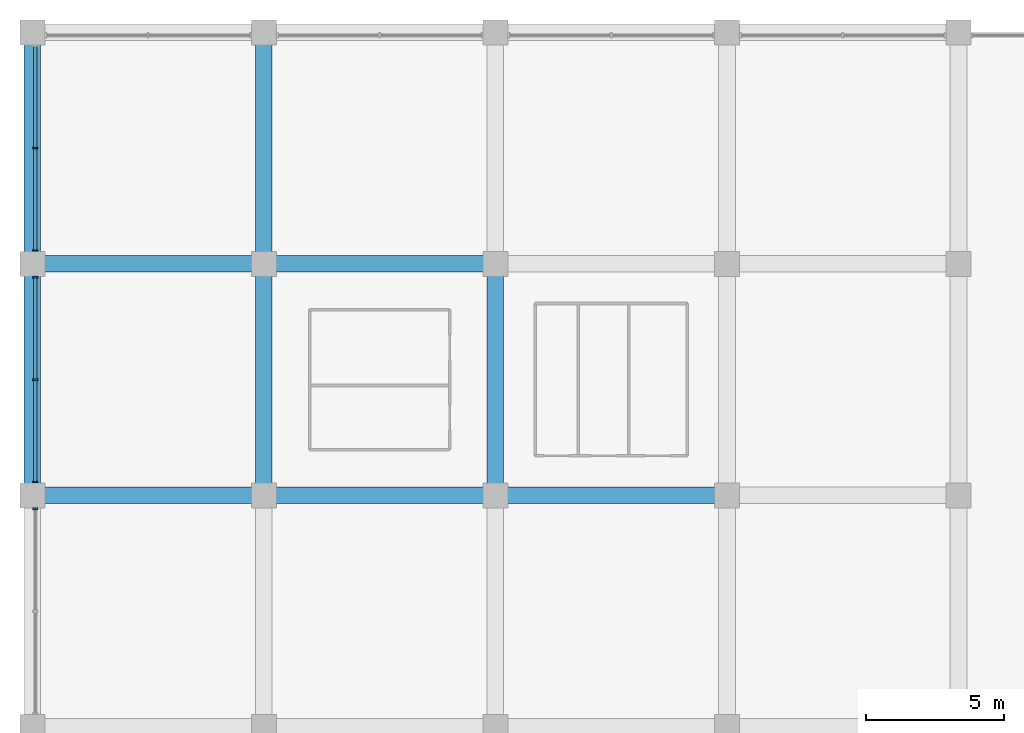
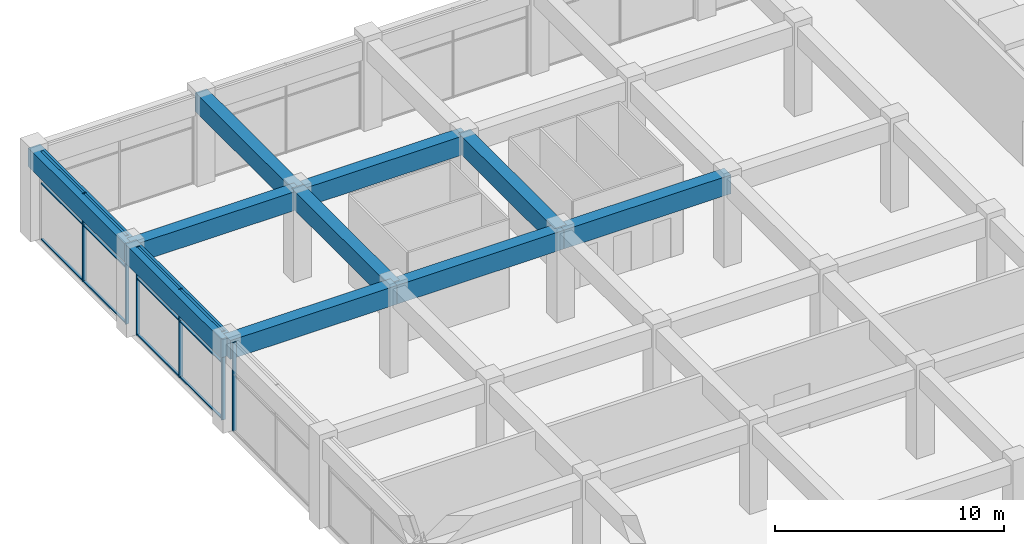
# One storey, part 16 of 34: 18 members, 10 beams, 3 elements without a shape of their own.
"""IFC4 building model written with IfcOpenShell, lengths in metres."""

from ifc_helpers import new_model, si_unit, direction, frame, origin, origin_2d, place, context, subcontext, project, spatial, rectangle, extrude, material, material_profile, profile_set, type_object, element, aggregate, save


model = new_model("IFC4")

# Units and contexts
model_context = context("Model", 3, precision=1e-05, world=origin(), true_north=direction((0.0, 1.0)))
body_context = subcontext(model_context, "Body", "Model", "MODEL_VIEW")
ifc_project = project(units=[si_unit("LENGTHUNIT", "METRE"), si_unit("AREAUNIT", "SQUARE_METRE"), si_unit("VOLUMEUNIT", "CUBIC_METRE"), si_unit("PLANEANGLEUNIT", "RADIAN"), si_unit("MASSUNIT", "GRAM", prefix="KILO")], contexts=[model_context])

# Site, building, storey
site_placement = place(None, origin())
site = spatial("IfcSite", under=ifc_project, at=site_placement, CompositionType="ELEMENT")
building_placement = place(site_placement, origin())
building = spatial("IfcBuilding", under=site, at=building_placement, Name="Impinga Residences", CompositionType="ELEMENT")
storey_placement = place(building_placement, frame((0.0, 0.0, 11.0)))
storey = spatial("IfcBuildingStorey", under=building, at=storey_placement, Name="L02", CompositionType="ELEMENT", Elevation=11.0)

# Curtain wall, member
ifc_material_1 = material(Name="Aluminium stick curtain wall", Category="aluminium")
curtain_wall_type = type_object("IfcCurtainWallType", Name="CW1 podium amenity curtain wall", PredefinedType="USERDEFINED", material=ifc_material_1)
curtain_wall_1_placement = place(storey_placement, origin())
curtain_wall_1 = element("IfcCurtainWall", 1, at=curtain_wall_1_placement, inside=storey, type_object=curtain_wall_type, Name="Curtain wall CW1 L02", ObjectType="STICK CURTAIN WALL", PredefinedType="USERDEFINED")
ifc_material_2 = material(Name="Aluminium mullion", Category="aluminium")
ifc_material_profile_1 = material_profile(ifc_material_2, rectangle(XDim=0.06005859375, YDim=0.179931640625, at=origin_2d()), Name="60x180 mullion")
ifc_profile_set_1 = profile_set([ifc_material_profile_1], Name="Aluminium mullion")
member_type_1 = type_object("IfcMemberType", Name="CW1-M mullion 60x180", PredefinedType="MULLION", material=ifc_profile_set_1)
member_1_placement = place(storey_placement, frame((-50.300048828125, 33.116943359375, 0.0), z_axis=(0.0, 0.0, 1.0), x_axis=(0.0, 1.0, 0.0)))
member_1 = element("IfcMember", 2, at=member_1_placement, type_object=member_type_1, Name="CW1 mullion 3", PredefinedType="MULLION", context=body_context, shape_type="SweptSolid", body=[
    extrude(rectangle(XDim=0.06005859375, YDim=0.179931640625, at=origin_2d()), origin(), (0.0, 0.0, 1.0), 4.699951171875),
])
aggregate(curtain_wall_1, [member_1])

# Curtain wall, members
curtain_wall_2_placement = place(storey_placement, origin())
curtain_wall_2 = element("IfcCurtainWall", 3, at=curtain_wall_2_placement, inside=storey, type_object=curtain_wall_type, Name="Curtain wall CW1 L02", ObjectType="STICK CURTAIN WALL", PredefinedType="USERDEFINED")
member_2_placement = place(storey_placement, frame((-50.300048828125, 34.0830078125, 0.0), z_axis=(0.0, 0.0, 1.0), x_axis=(0.0, 1.0, 0.0)))
member_2 = element("IfcMember", 4, at=member_2_placement, type_object=member_type_1, Name="CW1 mullion 1", PredefinedType="MULLION", context=body_context, shape_type="SweptSolid", body=[
    extrude(rectangle(XDim=0.06005859375, YDim=0.179931640625, at=origin_2d()), origin(), (0.0, 0.0, 1.0), 4.699951171875),
])
member_3_placement = place(storey_placement, frame((-50.300048828125, 37.800048828125, 0.0), z_axis=(0.0, 0.0, 1.0), x_axis=(0.0, 1.0, 0.0)))
member_3 = element("IfcMember", 5, at=member_3_placement, type_object=member_type_1, Name="CW1 mullion 2", PredefinedType="MULLION", context=body_context, shape_type="SweptSolid", body=[
    extrude(rectangle(XDim=0.06005859375, YDim=0.179931640625, at=origin_2d()), origin(), (0.0, 0.0, 1.0), 4.699951171875),
])
member_4_placement = place(storey_placement, frame((-50.300048828125, 41.51708984375, 0.0), z_axis=(0.0, 0.0, 1.0), x_axis=(0.0, 1.0, 0.0)))
member_4 = element("IfcMember", 6, at=member_4_placement, type_object=member_type_1, Name="CW1 mullion 3", PredefinedType="MULLION", context=body_context, shape_type="SweptSolid", body=[
    extrude(rectangle(XDim=0.06005859375, YDim=0.179931640625, at=origin_2d()), origin(), (0.0, 0.0, 1.0), 4.699951171875),
])

curtain_wall_3_placement = place(storey_placement, origin())
curtain_wall_3 = element("IfcCurtainWall", 7, at=curtain_wall_3_placement, inside=storey, type_object=curtain_wall_type, Name="Curtain wall CW1 L02", ObjectType="STICK CURTAIN WALL", PredefinedType="USERDEFINED")
member_5_placement = place(storey_placement, frame((-50.300048828125, 42.48291015625, 0.0), z_axis=(0.0, 0.0, 1.0), x_axis=(0.0, 1.0, 0.0)))
member_5 = element("IfcMember", 8, at=member_5_placement, type_object=member_type_1, Name="CW1 mullion 1", PredefinedType="MULLION", context=body_context, shape_type="SweptSolid", body=[
    extrude(rectangle(XDim=0.06005859375, YDim=0.179931640625, at=origin_2d()), origin(), (0.0, 0.0, 1.0), 4.699951171875),
])
member_6_placement = place(storey_placement, frame((-50.300048828125, 46.199951171875, 0.0), z_axis=(0.0, 0.0, 1.0), x_axis=(0.0, 1.0, 0.0)))
member_6 = element("IfcMember", 9, at=member_6_placement, type_object=member_type_1, Name="CW1 mullion 2", PredefinedType="MULLION", context=body_context, shape_type="SweptSolid", body=[
    extrude(rectangle(XDim=0.06005859375, YDim=0.179931640625, at=origin_2d()), origin(), (0.0, 0.0, 1.0), 4.699951171875),
])

# Member
ifc_material_3 = material(Name="Aluminium transom", Category="aluminium")
ifc_material_profile_2 = material_profile(ifc_material_3, rectangle(XDim=0.06005859375, YDim=0.1201171875, at=origin_2d()), Name="60x120 transom")
ifc_profile_set_2 = profile_set([ifc_material_profile_2], Name="Aluminium transom")
member_type_2 = type_object("IfcMemberType", Name="CW1-T transom 60x120", PredefinedType="USERDEFINED", material=ifc_profile_set_2)
member_7_placement = place(storey_placement, frame((-50.300048828125, 34.113037109375, 0.030029296875), z_axis=(0.0, 1.0, 0.0), x_axis=(0.0, 0.0, 1.0)))
member_7 = element("IfcMember", 10, at=member_7_placement, type_object=member_type_2, Name="CW1 transom 1.1", ObjectType="TRANSOM", PredefinedType="USERDEFINED", context=body_context, shape_type="SweptSolid", body=[
    extrude(rectangle(XDim=0.06005859375, YDim=0.1201171875, at=origin_2d()), origin(), (0.0, 0.0, 1.0), 3.656982421875),
])

member_8_placement = place(storey_placement, frame((-50.300048828125, 34.113037109375, 3.0), z_axis=(0.0, 1.0, 0.0), x_axis=(0.0, 0.0, 1.0)))
member_8 = element("IfcMember", 11, at=member_8_placement, type_object=member_type_2, Name="CW1 transom 1.2", ObjectType="TRANSOM", PredefinedType="USERDEFINED", context=body_context, shape_type="SweptSolid", body=[
    extrude(rectangle(XDim=0.06005859375, YDim=0.1201171875, at=origin_2d()), origin(), (0.0, 0.0, 1.0), 3.656982421875),
])

member_9_placement = place(storey_placement, frame((-50.300048828125, 34.113037109375, 4.669921875), z_axis=(0.0, 1.0, 0.0), x_axis=(0.0, 0.0, 1.0)))
member_9 = element("IfcMember", 12, at=member_9_placement, type_object=member_type_2, Name="CW1 transom 1.3", ObjectType="TRANSOM", PredefinedType="USERDEFINED", context=body_context, shape_type="SweptSolid", body=[
    extrude(rectangle(XDim=0.06005859375, YDim=0.1201171875, at=origin_2d()), origin(), (0.0, 0.0, 1.0), 3.656982421875),
])

member_10_placement = place(storey_placement, frame((-50.300048828125, 37.830078125, 0.030029296875), z_axis=(0.0, 1.0, 0.0), x_axis=(0.0, 0.0, 1.0)))
member_10 = element("IfcMember", 13, at=member_10_placement, type_object=member_type_2, Name="CW1 transom 2.1", ObjectType="TRANSOM", PredefinedType="USERDEFINED", context=body_context, shape_type="SweptSolid", body=[
    extrude(rectangle(XDim=0.06005859375, YDim=0.1201171875, at=origin_2d()), origin(), (0.0, 0.0, 1.0), 3.656982421875),
])

member_11_placement = place(storey_placement, frame((-50.300048828125, 37.830078125, 3.0), z_axis=(0.0, 1.0, 0.0), x_axis=(0.0, 0.0, 1.0)))
member_11 = element("IfcMember", 14, at=member_11_placement, type_object=member_type_2, Name="CW1 transom 2.2", ObjectType="TRANSOM", PredefinedType="USERDEFINED", context=body_context, shape_type="SweptSolid", body=[
    extrude(rectangle(XDim=0.06005859375, YDim=0.1201171875, at=origin_2d()), origin(), (0.0, 0.0, 1.0), 3.656982421875),
])

member_12_placement = place(storey_placement, frame((-50.300048828125, 37.830078125, 4.669921875), z_axis=(0.0, 1.0, 0.0), x_axis=(0.0, 0.0, 1.0)))
member_12 = element("IfcMember", 15, at=member_12_placement, type_object=member_type_2, Name="CW1 transom 2.3", ObjectType="TRANSOM", PredefinedType="USERDEFINED", context=body_context, shape_type="SweptSolid", body=[
    extrude(rectangle(XDim=0.06005859375, YDim=0.1201171875, at=origin_2d()), origin(), (0.0, 0.0, 1.0), 3.656982421875),
])

aggregate(curtain_wall_2, [member_2, member_3, member_4, member_7, member_8, member_9, member_10, member_11, member_12])

member_13_placement = place(storey_placement, frame((-50.300048828125, 42.512939453125, 0.030029296875), z_axis=(0.0, 1.0, 0.0), x_axis=(0.0, 0.0, 1.0)))
member_13 = element("IfcMember", 16, at=member_13_placement, type_object=member_type_2, Name="CW1 transom 1.1", ObjectType="TRANSOM", PredefinedType="USERDEFINED", context=body_context, shape_type="SweptSolid", body=[
    extrude(rectangle(XDim=0.06005859375, YDim=0.1201171875, at=origin_2d()), origin(), (0.0, 0.0, 1.0), 3.656982421875),
])

member_14_placement = place(storey_placement, frame((-50.300048828125, 42.512939453125, 3.0), z_axis=(0.0, 1.0, 0.0), x_axis=(0.0, 0.0, 1.0)))
member_14 = element("IfcMember", 17, at=member_14_placement, type_object=member_type_2, Name="CW1 transom 1.2", ObjectType="TRANSOM", PredefinedType="USERDEFINED", context=body_context, shape_type="SweptSolid", body=[
    extrude(rectangle(XDim=0.06005859375, YDim=0.1201171875, at=origin_2d()), origin(), (0.0, 0.0, 1.0), 3.656982421875),
])

member_15_placement = place(storey_placement, frame((-50.300048828125, 42.512939453125, 4.669921875), z_axis=(0.0, 1.0, 0.0), x_axis=(0.0, 0.0, 1.0)))
member_15 = element("IfcMember", 18, at=member_15_placement, type_object=member_type_2, Name="CW1 transom 1.3", ObjectType="TRANSOM", PredefinedType="USERDEFINED", context=body_context, shape_type="SweptSolid", body=[
    extrude(rectangle(XDim=0.06005859375, YDim=0.1201171875, at=origin_2d()), origin(), (0.0, 0.0, 1.0), 3.656982421875),
])

member_16_placement = place(storey_placement, frame((-50.300048828125, 46.22998046875, 0.030029296875), z_axis=(0.0, 1.0, 0.0), x_axis=(0.0, 0.0, 1.0)))
member_16 = element("IfcMember", 19, at=member_16_placement, type_object=member_type_2, Name="CW1 transom 2.1", ObjectType="TRANSOM", PredefinedType="USERDEFINED", context=body_context, shape_type="SweptSolid", body=[
    extrude(rectangle(XDim=0.06005859375, YDim=0.1201171875, at=origin_2d()), origin(), (0.0, 0.0, 1.0), 3.656982421875),
])

member_17_placement = place(storey_placement, frame((-50.300048828125, 46.22998046875, 3.0), z_axis=(0.0, 1.0, 0.0), x_axis=(0.0, 0.0, 1.0)))
member_17 = element("IfcMember", 20, at=member_17_placement, type_object=member_type_2, Name="CW1 transom 2.2", ObjectType="TRANSOM", PredefinedType="USERDEFINED", context=body_context, shape_type="SweptSolid", body=[
    extrude(rectangle(XDim=0.06005859375, YDim=0.1201171875, at=origin_2d()), origin(), (0.0, 0.0, 1.0), 3.656982421875),
])

member_18_placement = place(storey_placement, frame((-50.300048828125, 46.22998046875, 4.669921875), z_axis=(0.0, 1.0, 0.0), x_axis=(0.0, 0.0, 1.0)))
member_18 = element("IfcMember", 21, at=member_18_placement, type_object=member_type_2, Name="CW1 transom 2.3", ObjectType="TRANSOM", PredefinedType="USERDEFINED", context=body_context, shape_type="SweptSolid", body=[
    extrude(rectangle(XDim=0.06005859375, YDim=0.1201171875, at=origin_2d()), origin(), (0.0, 0.0, 1.0), 3.656982421875),
])

aggregate(curtain_wall_3, [member_5, member_6, member_13, member_14, member_15, member_16, member_17, member_18])

# Beams
ifc_material_4 = material(Name="Concrete C60/75", Category="concrete")
ifc_material_profile_3 = material_profile(ifc_material_4, rectangle(XDim=0.60009765625, YDim=1.0, at=origin_2d()), Name="RC 600x1000")
ifc_profile_set_3 = profile_set([ifc_material_profile_3], Name="Concrete C60/75")
beam_type = type_object("IfcBeamType", Name="PB2 600x1000 podium beam", PredefinedType="BEAM", material=ifc_profile_set_3)
for number, where, z_axis, x_axis, name in (
    (22, (-50.39990234375, 33.60009765625, 4.199951171875), (1.0, 0.0, 0.0), (0.0, 1.0, 0.0), "Beam PB2 K/1-2 level L03"),
    (23, (-42.0, 33.60009765625, 4.199951171875), (1.0, 0.0, 0.0), (0.0, 1.0, 0.0), "Beam PB2 K/2-3 level L03"),
):
    element("IfcBeam", number, at=place(storey_placement, frame(where, z_axis=z_axis, x_axis=x_axis)), inside=storey, type_object=beam_type, Name=name, PredefinedType="BEAM", context=body_context, shape_type="SweptSolid", body=[
        extrude(rectangle(XDim=0.60009765625, YDim=1.0, at=origin_2d()), origin(), (0.0, 0.0, 1.0), 8.39990234375),
    ])
beam_placement = place(storey_placement, frame((-33.60009765625, 33.60009765625, 4.199951171875), z_axis=(1.0, 0.0, 0.0), x_axis=(0.0, 1.0, 0.0)))
element("IfcBeam", 24, at=beam_placement, inside=storey, type_object=beam_type, Name="Beam PB2 K/3-4 level L03", PredefinedType="BEAM", context=body_context, shape_type="SweptSolid", body=[
    extrude(rectangle(XDim=0.60009765625, YDim=1.0, at=origin_2d()), origin(), (0.0, 0.0, 1.0), 8.400146484375),
])
for number, where, z_axis, x_axis, name in (
    (25, (-50.39990234375, 42.0, 4.199951171875), (1.0, 0.0, 0.0), (0.0, 1.0, 0.0), "Beam PB2 L/1-2 level L03"),
    (26, (-42.0, 42.0, 4.199951171875), (1.0, 0.0, 0.0), (0.0, 1.0, 0.0), "Beam PB2 L/2-3 level L03"),
    (27, (-50.39990234375, 33.60009765625, 4.199951171875), (0.0, 1.0, 0.0), (-1.0, 0.0, 0.0), "Beam PB2 1/K-L level L03"),
    (28, (-50.39990234375, 42.0, 4.199951171875), (0.0, 1.0, 0.0), (-1.0, 0.0, 0.0), "Beam PB2 1/L-M level L03"),
    (29, (-42.0, 33.60009765625, 4.199951171875), (0.0, 1.0, 0.0), (-1.0, 0.0, 0.0), "Beam PB2 2/K-L level L03"),
    (30, (-42.0, 42.0, 4.199951171875), (0.0, 1.0, 0.0), (-1.0, 0.0, 0.0), "Beam PB2 2/L-M level L03"),
    (31, (-33.60009765625, 33.60009765625, 4.199951171875), (0.0, 1.0, 0.0), (-1.0, 0.0, 0.0), "Beam PB2 3/K-L level L03"),
):
    element("IfcBeam", number, at=place(storey_placement, frame(where, z_axis=z_axis, x_axis=x_axis)), inside=storey, type_object=beam_type, Name=name, PredefinedType="BEAM", context=body_context, shape_type="SweptSolid", body=[
        extrude(rectangle(XDim=0.60009765625, YDim=1.0, at=origin_2d()), origin(), (0.0, 0.0, 1.0), 8.39990234375),
    ])

save(model, "model.ifc")
